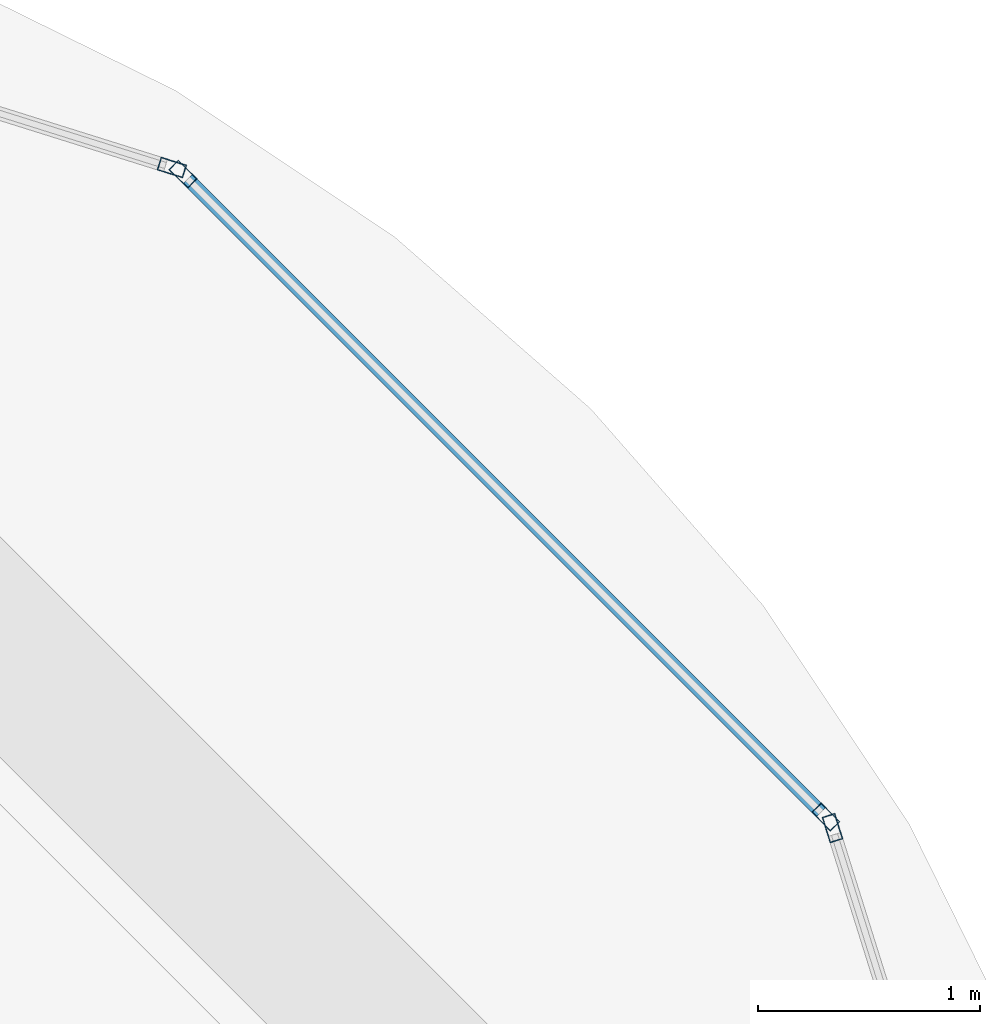
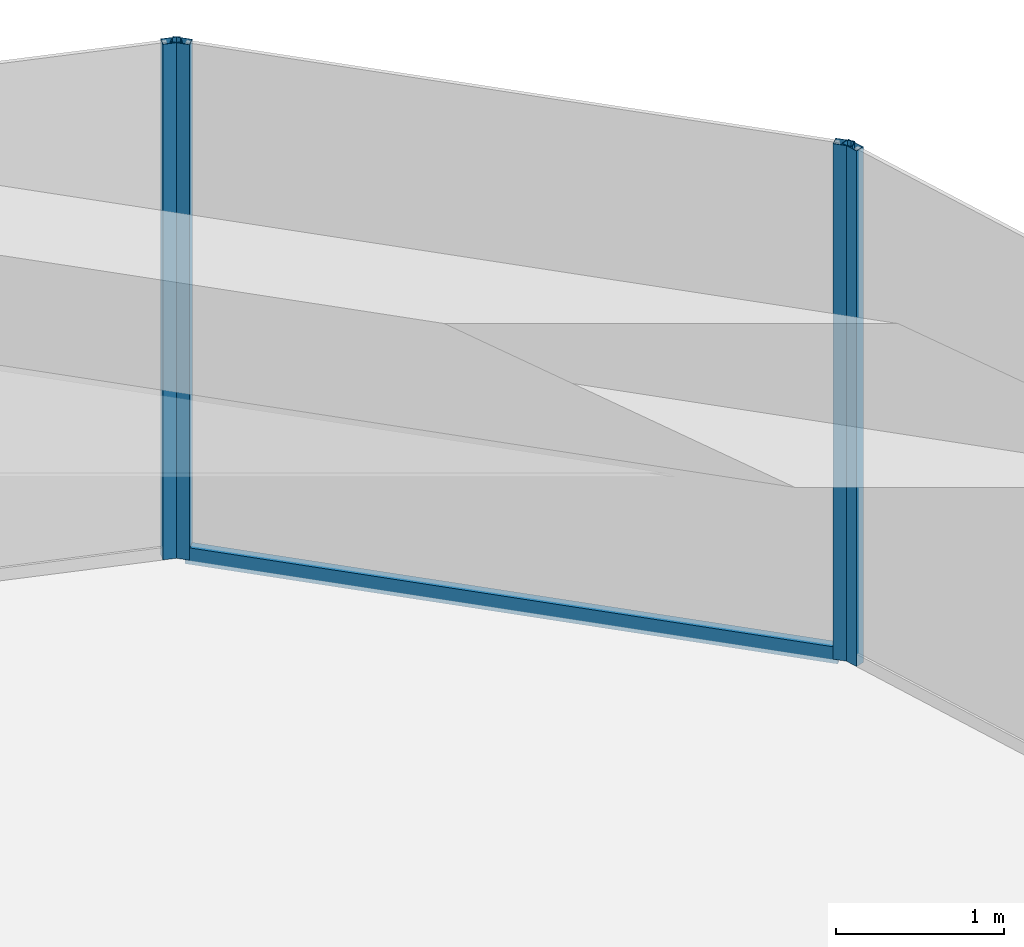
# One storey, part 39 of 44: 5 members, 3 elements without a shape of their own.
"""IFC4 building model written with IfcOpenShell, lengths in metres."""

from ifc_helpers import new_model, si_unit, direction, frame, origin, origin_2d, place, context, subcontext, project, spatial, hollow_rectangle, extrude, material, material_profile, profile_set, type_object, element, aggregate, save


model = new_model("IFC4")

# Units and contexts
model_context = context("Model", 3, precision=1e-05, world=origin(), true_north=direction((0.0, 1.0)))
body_context = subcontext(model_context, "Body", "Model", "MODEL_VIEW")
ifc_project = project(units=[si_unit("LENGTHUNIT", "METRE"), si_unit("AREAUNIT", "SQUARE_METRE"), si_unit("VOLUMEUNIT", "CUBIC_METRE"), si_unit("PLANEANGLEUNIT", "RADIAN"), si_unit("MASSUNIT", "GRAM", prefix="KILO")], contexts=[model_context])

# Site, building, storey
site_placement = place(None, origin())
site = spatial("IfcSite", under=ifc_project, at=site_placement, CompositionType="ELEMENT")
building_placement = place(site_placement, origin())
building = spatial("IfcBuilding", under=site, at=building_placement, Name="Zorevar Civic Tower", CompositionType="ELEMENT")
storey_placement = place(building_placement, frame((0.0, 0.0, 251.39990234375)))
storey = spatial("IfcBuildingStorey", under=building, at=storey_placement, Name="L61", CompositionType="ELEMENT", Elevation=251.39990234375)

# Curtain wall, member
ifc_material_1 = material(Name="Dark grey solar-control glass in black aluminium frame", Category="aluminium")
curtain_wall_type = type_object("IfcCurtainWallType", Name="Curtain wall CW5 top zone", PredefinedType="NOTDEFINED", material=ifc_material_1)
curtain_wall_1_placement = place(storey_placement, origin())
curtain_wall_1 = element("IfcCurtainWall", 1, at=curtain_wall_1_placement, inside=storey, type_object=curtain_wall_type, Name="CW5 L61", PredefinedType="NOTDEFINED")
ifc_material_2 = material(Name="Aluminium, black anodised", Category="aluminium")
ifc_material_profile_1 = material_profile(ifc_material_2, hollow_rectangle(XDim=0.06005859375, YDim=0.1201171875, WallThickness=0.0029296875, at=origin_2d()), Name="AL 120x60x3")
ifc_profile_set_1 = profile_set([ifc_material_profile_1], Name="Aluminium, black anodised")
member_type_1 = type_object("IfcMemberType", Name="CW5 mullion AL 120x60x3", PredefinedType="MULLION", material=ifc_profile_set_1)
member_1_placement = place(storey_placement, frame((52.449951171875, 40.479248046875, 0.0), z_axis=(0.0, 0.0, 1.0), x_axis=(-0.954153437674, -0.299317920238, 0.0)))
member_1 = element("IfcMember", 2, at=member_1_placement, type_object=member_type_1, Name="CW5 mullion 2", PredefinedType="MULLION", context=body_context, shape_type="SweptSolid", body=[
    extrude(hollow_rectangle(XDim=0.06005859375, YDim=0.1201171875, WallThickness=0.0029296875, at=origin_2d()), origin(), (0.0, 0.0, 1.0), 3.75),
])
aggregate(curtain_wall_1, [member_1])

# Curtain wall, members
curtain_wall_2_placement = place(storey_placement, origin())
curtain_wall_2 = element("IfcCurtainWall", 3, at=curtain_wall_2_placement, inside=storey, type_object=curtain_wall_type, Name="CW5 L61", PredefinedType="NOTDEFINED")
member_2_placement = place(storey_placement, frame((52.419677734375, 40.529052734375, 0.0), z_axis=(0.0, 0.0, 1.0), x_axis=(-0.707106781187, -0.707106781187, 0.0)))
member_2 = element("IfcMember", 4, at=member_2_placement, type_object=member_type_1, Name="CW5 mullion 1", PredefinedType="MULLION", context=body_context, shape_type="SweptSolid", body=[
    extrude(hollow_rectangle(XDim=0.06005859375, YDim=0.1201171875, WallThickness=0.0029296875, at=origin_2d()), origin(), (0.0, 0.0, 1.0), 3.75),
])
member_3_placement = place(storey_placement, frame((49.529052734375, 43.419677734375, 0.0), z_axis=(0.0, 0.0, 1.0), x_axis=(-0.707106781187, -0.707106781187, 0.0)))
member_3 = element("IfcMember", 5, at=member_3_placement, type_object=member_type_1, Name="CW5 mullion 2", PredefinedType="MULLION", context=body_context, shape_type="SweptSolid", body=[
    extrude(hollow_rectangle(XDim=0.06005859375, YDim=0.1201171875, WallThickness=0.0029296875, at=origin_2d()), origin(), (0.0, 0.0, 1.0), 3.75),
])

# Curtain wall, member
curtain_wall_3_placement = place(storey_placement, origin())
curtain_wall_3 = element("IfcCurtainWall", 6, at=curtain_wall_3_placement, inside=storey, type_object=curtain_wall_type, Name="CW5 L61", PredefinedType="NOTDEFINED")
member_4_placement = place(storey_placement, frame((49.479248046875, 43.449951171875, 0.0), z_axis=(0.0, 0.0, 1.0), x_axis=(-0.299317920238, -0.954153437674, 0.0)))
member_4 = element("IfcMember", 7, at=member_4_placement, type_object=member_type_1, Name="CW5 mullion 1", PredefinedType="MULLION", context=body_context, shape_type="SweptSolid", body=[
    extrude(hollow_rectangle(XDim=0.06005859375, YDim=0.1201171875, WallThickness=0.0029296875, at=origin_2d()), origin(), (0.0, 0.0, 1.0), 3.75),
])
aggregate(curtain_wall_3, [member_4])

# Member
ifc_material_3 = material(Name="Aluminium, black anodised", Category="aluminium")
ifc_material_profile_2 = material_profile(ifc_material_3, hollow_rectangle(XDim=0.06005859375, YDim=0.1201171875, WallThickness=0.0029296875, at=origin_2d()), Name="AL 120x60x3")
ifc_profile_set_2 = profile_set([ifc_material_profile_2], Name="Aluminium, black anodised")
member_type_2 = type_object("IfcMemberType", Name="CW5 transom AL 120x60x3", PredefinedType="USERDEFINED", material=ifc_profile_set_2)
member_5_placement = place(storey_placement, frame((52.3984375, 40.55029296875, 0.030029296875), z_axis=(-0.707106781187, 0.707106781187, 0.0), x_axis=(-0.707106781187, -0.707106781187, 0.0)))
member_5 = element("IfcMember", 8, at=member_5_placement, type_object=member_type_2, Name="CW5 sill transom", ObjectType="TRANSOM", PredefinedType="USERDEFINED", context=body_context, shape_type="SweptSolid", body=[
    extrude(hollow_rectangle(XDim=0.06005859375, YDim=0.1201171875, WallThickness=0.0029296875, at=origin_2d()), origin(), (0.0, 0.0, 1.0), 4.02783203125),
])

aggregate(curtain_wall_2, [member_2, member_3, member_5])

save(model, "model.ifc")
